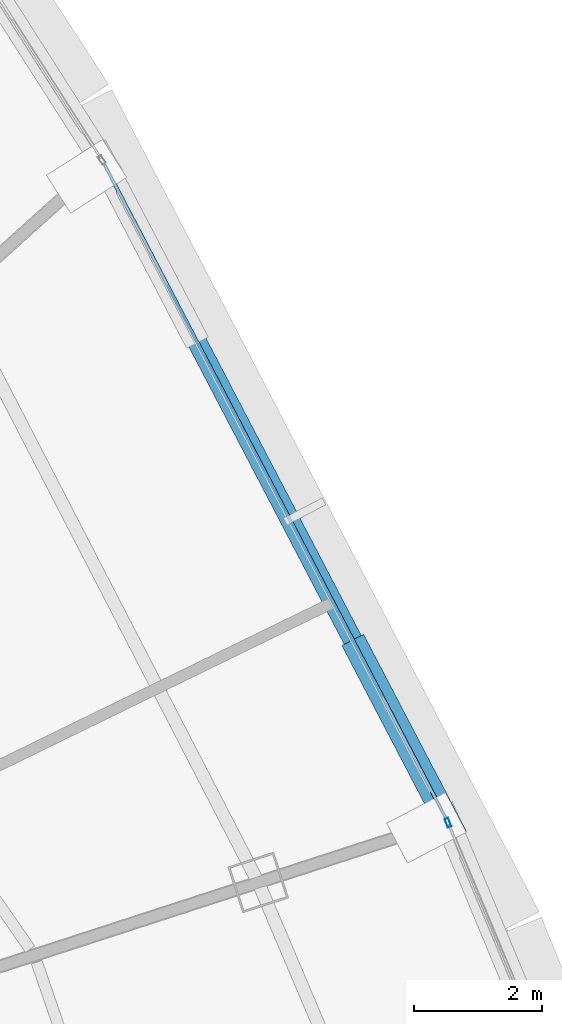
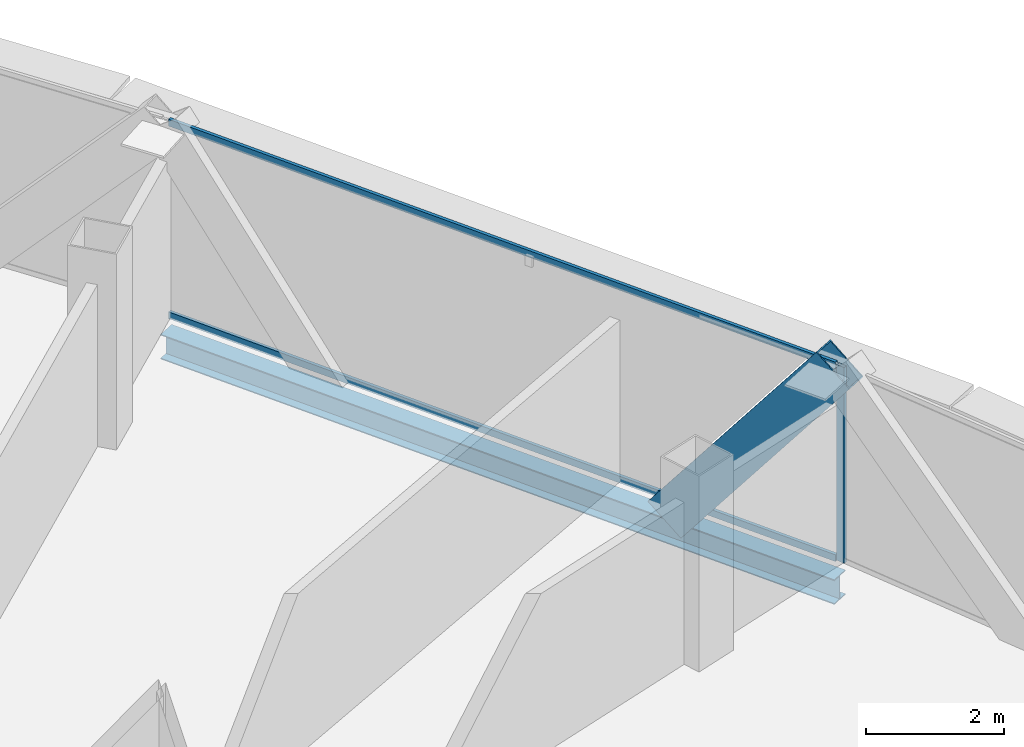
# One storey, part 17 of 39: 4 members, 1 beam, 2 elements without a shape of their own.
"""IFC4 building model written with IfcOpenShell, lengths in metres."""

import ifcopenshell
import ifcopenshell.guid

model = None  # the IFC model being written
_history = None  # IfcOwnerHistory: only IFC2X3 demands one
_inside = {}  # id of a spatial element -> (the spatial element, [elements in it])
_under = {}  # id of a project, library or spatial element -> (it, [spatial elements below it])
_declared = {}  # id of a project -> (the project, [libraries it declares])
_typed = {}  # id of a type object -> (the type object, [elements of that type])
_made_of = {}  # id of a material, layer set ... -> (it, [elements and type objects made of it])


def new_model(schema):
    """Start an empty IFC model of exactly this schema.

    Asked for "IFC4X3", IfcOpenShell would pick the latest addendum, in which some entities
    have other attributes; the version numbers below select the first issue.
    IFC2X3 requires an IfcOwnerHistory on every rooted entity: one is made here for all.
    """
    global model, _history
    if schema == "IFC4X3":
        model = ifcopenshell.file(schema_version=(4, 3, 0, 0))
    else:
        model = ifcopenshell.file(schema=schema)
    _inside.clear()
    _under.clear()
    _declared.clear()
    _typed.clear()
    _made_of.clear()
    _history = None
    if model.schema == "IFC2X3":
        org = make("IfcOrganization", Name="unknown")
        user = make(
            "IfcPersonAndOrganization",
            ThePerson=make("IfcPerson", FamilyName="unknown"),
            TheOrganization=org,
        )
        app = make(
            "IfcApplication",
            ApplicationDeveloper=org,
            Version="unknown",
            ApplicationFullName="unknown",
            ApplicationIdentifier="unknown",
        )
        _history = make(
            "IfcOwnerHistory",
            OwningUser=user,
            OwningApplication=app,
            ChangeAction="ADDED",
            CreationDate=0,
        )
    return model


def make(cls, **values):
    """One entity of the class cls with the attributes given. An attribute that is None is left unset."""
    return model.create_entity(
        cls, **{name: value for name, value in values.items() if value is not None}
    )


def rooted(cls, **values):
    """An entity with a GlobalId (a new one), such as an element, a storey or a relation."""
    return make(cls, GlobalId=ifcopenshell.guid.new(), OwnerHistory=_history, **values)


def si_unit(unit_type, name, prefix=None):
    """IfcSIUnit, for example si_unit("LENGTHUNIT", "METRE", prefix="MILLI")."""
    return make("IfcSIUnit", UnitType=unit_type, Prefix=prefix, Name=name)


def assignment(units):
    """IfcUnitAssignment: the units of a project."""
    return None if units is None else make("IfcUnitAssignment", Units=units)


def point(xyz):
    """IfcCartesianPoint."""
    return None if xyz is None else make("IfcCartesianPoint", Coordinates=xyz)


def direction(xyz):
    """IfcDirection."""
    return None if xyz is None else make("IfcDirection", DirectionRatios=xyz)


def frame(location, z_axis=None, x_axis=None):
    """IfcAxis2Placement3D, a coordinate frame: its origin and axes. An axis left out is left unset."""
    return make(
        "IfcAxis2Placement3D",
        Location=point(location),
        Axis=direction(z_axis),
        RefDirection=direction(x_axis),
    )


def frame_2d(location, x_axis=None):
    """IfcAxis2Placement2D, a coordinate frame in the plane: its origin and x axis."""
    return make(
        "IfcAxis2Placement2D", Location=point(location), RefDirection=direction(x_axis)
    )


def origin():
    """The frame at (0, 0, 0) with its axes left unset."""
    return frame((0.0, 0.0, 0.0))


def origin_2d():
    """The frame at (0, 0) in the plane with its x axis left unset."""
    return frame_2d((0.0, 0.0))


def place(relative_to, where):
    """IfcLocalPlacement: puts the frame where relative to a parent placement (None: the world)."""
    return make(
        "IfcLocalPlacement", PlacementRelTo=relative_to, RelativePlacement=where
    )


def context(
    kind, dimensions, precision=None, world=None, true_north=None, identifier=None
):
    """IfcGeometricRepresentationContext, for example the 3D "Model" context."""
    return make(
        "IfcGeometricRepresentationContext",
        ContextIdentifier=identifier,
        ContextType=kind,
        CoordinateSpaceDimension=dimensions,
        Precision=precision,
        WorldCoordinateSystem=world,
        TrueNorth=true_north,
    )


def subcontext(parent, identifier, kind, view, scale=None):
    """IfcGeometricRepresentationSubContext, for example "Body" below "Model"."""
    return make(
        "IfcGeometricRepresentationSubContext",
        ContextIdentifier=identifier,
        ContextType=kind,
        ParentContext=parent,
        TargetScale=scale,
        TargetView=view,
    )


def project(units=None, contexts=None):
    """IfcProject with its units and contexts."""
    return rooted(
        "IfcProject",
        Name="project",
        RepresentationContexts=contexts,
        UnitsInContext=assignment(units),
    )


def spatial(cls, under=None, at=None, **own):
    """A site, building, storey or space (cls), placed at a placement, below another one or the project."""
    s = rooted(cls, ObjectPlacement=at, **own)
    if under is not None:
        _under.setdefault(under.id(), (under, []))[1].append(s)
    return s


def profile(cls, at=None, kind="AREA", **sizes):
    """A parametric profile (cls). Its sizes go by their IFC names, for example OverallWidth=200.0."""
    return make(cls, ProfileType=kind, Position=at, **sizes)


def hollow_rectangle(**sizes):
    """IfcRectangleHollowProfileDef."""
    return profile("IfcRectangleHollowProfileDef", **sizes)


def i_section(**sizes):
    """IfcIShapeProfileDef."""
    return profile("IfcIShapeProfileDef", **sizes)


def extrude(swept, where, along, depth):
    """IfcExtrudedAreaSolid: the profile swept, set in the frame where, extruded along a direction by depth."""
    return make(
        "IfcExtrudedAreaSolid",
        SweptArea=swept,
        Position=where,
        ExtrudedDirection=direction(along),
        Depth=depth,
    )


def shape(context_of_items, identifier, shape_type, items):
    """IfcShapeRepresentation: the items that make up one representation, for example the "Body"."""
    return make(
        "IfcShapeRepresentation",
        ContextOfItems=context_of_items,
        RepresentationIdentifier=identifier,
        RepresentationType=shape_type,
        Items=items,
    )


def source(mapping_origin, context_of_items, identifier, shape_type, items):
    """IfcRepresentationMap: a shape defined once, which mapped items show again and again."""
    return make(
        "IfcRepresentationMap",
        MappingOrigin=mapping_origin,
        MappedRepresentation=shape(context_of_items, identifier, shape_type, items),
    )


def transform(
    local_origin,
    x_axis=None,
    y_axis=None,
    z_axis=None,
    scale=None,
    scale2=None,
    scale3=None,
    uniform=True,
):
    """IfcCartesianTransformationOperator3D, or its non-uniform kind. x_axis, y_axis, z_axis: its Axis1, 2, 3."""
    if uniform:
        return make(
            "IfcCartesianTransformationOperator3D",
            Axis1=direction(x_axis),
            Axis2=direction(y_axis),
            LocalOrigin=point(local_origin),
            Scale=scale,
            Axis3=direction(z_axis),
        )
    return make(
        "IfcCartesianTransformationOperator3DnonUniform",
        Axis1=direction(x_axis),
        Axis2=direction(y_axis),
        LocalOrigin=point(local_origin),
        Scale=scale,
        Axis3=direction(z_axis),
        Scale2=scale2,
        Scale3=scale3,
    )


def mapped(mapping_source, mapping_target):
    """IfcMappedItem: shows the shape of a source again, moved by a transform."""
    return make(
        "IfcMappedItem", MappingSource=mapping_source, MappingTarget=mapping_target
    )


def material(Name=None, Category=None):
    """IfcMaterial."""
    return make("IfcMaterial", Name=Name, Category=Category)


def layer(
    of_material, thickness, ventilated=None, Name=None, Category=None, Priority=None
):
    """IfcMaterialLayer: one layer of a wall or slab, of a material (None: an air gap)."""
    return make(
        "IfcMaterialLayer",
        Material=of_material,
        LayerThickness=thickness,
        IsVentilated=ventilated,
        Name=Name,
        Category=Category,
        Priority=Priority,
    )


def layer_set(layers, Name=None):
    """IfcMaterialLayerSet."""
    return make("IfcMaterialLayerSet", MaterialLayers=layers, LayerSetName=Name)


def material_profile(
    of_material, cross_section, Name=None, Category=None, Priority=None
):
    """IfcMaterialProfile: a cross section and its material."""
    return make(
        "IfcMaterialProfile",
        Name=Name,
        Material=of_material,
        Profile=cross_section,
        Priority=Priority,
        Category=Category,
    )


def profile_set(profiles, Name=None, composite=None):
    """IfcMaterialProfileSet."""
    return make(
        "IfcMaterialProfileSet",
        Name=Name,
        MaterialProfiles=profiles,
        CompositeProfile=composite,
    )


def made_of(thing, what):
    """Note that an element or type object is made of a material, layer set ...; save() writes the relation."""
    if what is not None:
        _made_of.setdefault(what.id(), (what, []))[1].append(thing)
    return thing


def type_object(cls, material=None, **own):
    """A type object (cls), such as IfcWallType, which elements share."""
    return made_of(rooted(cls, **own), material)


def element(
    cls,
    number,
    at=None,
    inside=None,
    cuts=None,
    type_object=None,
    material=None,
    context=None,
    identifier="Body",
    shape_type=None,
    held_by="IfcProductDefinitionShape",
    body=None,
    shapes=None,
    **own,
):
    """One element of the class cls, such as IfcWall. Its Tag is "e" and its number.

    at: its placement. inside: the storey or other place that contains it. cuts: it is an
    opening in that element (IfcRelVoidsElement). A single representation is given by context,
    identifier, shape_type and body (its items); several are given by shapes. held_by: the class
    of the entity that holds the representations. save() writes the other relations.
    """
    e = rooted(cls, Tag="e%d" % number, ObjectPlacement=at, **own)
    if body is not None:
        shapes = [shape(context, identifier, shape_type, body)]
    if shapes is not None:
        e.Representation = make(held_by, Representations=shapes)
    if inside is not None:
        _inside.setdefault(inside.id(), (inside, []))[1].append(e)
    if cuts is not None:
        rooted(
            "IfcRelVoidsElement", RelatingBuildingElement=cuts, RelatedOpeningElement=e
        )
    if type_object is not None:
        _typed.setdefault(type_object.id(), (type_object, []))[1].append(e)
    return made_of(e, material)


def aggregate(whole, parts):
    """IfcRelAggregates: a whole, such as a stair, and the parts it consists of."""
    return rooted("IfcRelAggregates", RelatingObject=whole, RelatedObjects=parts)


def save(model, path):
    """Write the relations noted so far, then the file.

    IfcRelAggregates (storeys below a building ...), IfcRelContainedInSpatialStructure (elements
    in a storey), IfcRelDefinesByType, IfcRelAssociatesMaterial and IfcRelDeclares: one each for
    every whole, place, type object, material and project.
    """
    for whole, parts in _under.values():
        aggregate(whole, parts)
    for where, things in _inside.values():
        rooted(
            "IfcRelContainedInSpatialStructure",
            RelatedElements=things,
            RelatingStructure=where,
        )
    for kind, things in _typed.values():
        rooted("IfcRelDefinesByType", RelatedObjects=things, RelatingType=kind)
    for what, things in _made_of.values():
        rooted("IfcRelAssociatesMaterial", RelatedObjects=things, RelatingMaterial=what)
    for by, libraries in _declared.values():
        rooted("IfcRelDeclares", RelatingContext=by, RelatedDefinitions=libraries)
    model.write(path)


model = new_model("IFC4")

# Units and contexts
model_context = context("Model", 3, precision=1e-05, world=origin(), true_north=direction((0.0, 1.0)))
body_context = subcontext(model_context, "Body", "Model", "MODEL_VIEW")
ifc_project = project(units=[si_unit("LENGTHUNIT", "METRE"), si_unit("AREAUNIT", "SQUARE_METRE"), si_unit("VOLUMEUNIT", "CUBIC_METRE"), si_unit("PLANEANGLEUNIT", "RADIAN"), si_unit("MASSUNIT", "GRAM", prefix="KILO"), si_unit("THERMODYNAMICTEMPERATUREUNIT", "KELVIN"), si_unit("POWERUNIT", "WATT")], contexts=[model_context])

# Site, building, storey
site_placement = place(None, origin())
site = spatial("IfcSite", under=ifc_project, at=site_placement, CompositionType="ELEMENT")
building_placement = place(site_placement, origin())
building = spatial("IfcBuilding", under=site, at=building_placement, Name="Yunzhuo Pagoda Commons", CompositionType="ELEMENT")
storey_placement = place(building_placement, frame((0.0, 0.0, 285.02001953125)))
storey = spatial("IfcBuildingStorey", under=building, at=storey_placement, Name="L71", CompositionType="ELEMENT", Elevation=285.02001953125)

# Beam
ifc_material_1 = material(Name="Structural steel Q355B", Category="steel")
ifc_material_profile_1 = material_profile(ifc_material_1, i_section(OverallWidth=0.300048828125, OverallDepth=0.43994140625, WebThickness=0.010986328125, FlangeThickness=0.01806640625, at=origin_2d()), Name="Structural steel Q355B")
ifc_profile_set_1 = profile_set([ifc_material_profile_1], Name="Structural steel Q355B")
beam_type = type_object("IfcBeamType", Name="B-SP2 Beam HM 440x300x11x18", PredefinedType="BEAM", material=ifc_profile_set_1)
shared_shape_1 = source(origin(), body_context, "Body", "SweptSolid", [
    extrude(i_section(OverallWidth=0.300048828125, OverallDepth=0.43994140625, WebThickness=0.010986328125, FlangeThickness=0.01806640625, at=origin_2d()), origin(), (0.0, 0.0, 1.0), 11.5908203125),
])
beam_placement = place(storey_placement, frame((74.248291015625, 42.228515625, -0.47998046875), z_axis=(-0.462882706125, 0.886419539705, 0.0), x_axis=(-0.886419539705, -0.462882706125, 0.0)))
element("IfcBeam", 1, at=beam_placement, inside=storey, type_object=beam_type, Name="L71 facade edge spandrel beam F2.2", PredefinedType="BEAM", context=body_context, shape_type="MappedRepresentation", body=[
    mapped(shared_shape_1, transform((0.0, 0.0, 0.0), scale=1.0)),
])

# Member
ifc_material_profile_2 = material_profile(ifc_material_1, hollow_rectangle(XDim=0.3798828125, YDim=0.719970703125, WallThickness=0.02001953125, at=origin_2d()), Name="Structural steel Q355B")
ifc_profile_set_2 = profile_set([ifc_material_profile_2], Name="Structural steel Q355B")
member_type_1 = type_object("IfcMemberType", Name="M-DL3 Brace BOX 720x380x20", PredefinedType="BRACE", material=ifc_profile_set_2)
shared_shape_2 = source(origin(), body_context, "Body", "SweptSolid", [
    extrude(hollow_rectangle(XDim=0.3798828125, YDim=0.719970703125, WallThickness=0.02001953125, at=origin_2d()), origin(), (0.0, 0.0, 1.0), 4.723388671875),
])
member_1_placement = place(storey_placement, frame((72.906982421875, 44.797119140625, -0.260009765625), z_axis=(0.283976852439, -0.543815155536, 0.78969755216), x_axis=(0.886419539705, 0.462882706125, 0.0)))
element("IfcMember", 2, at=member_1_placement, inside=storey, type_object=member_type_1, Name="L71 facade diamond brace F2.2L", PredefinedType="BRACE", context=body_context, shape_type="MappedRepresentation", body=[
    mapped(shared_shape_2, transform((0.0, 0.0, 0.0), scale=1.0)),
])

# Curtain wall, members
ifc_material_2 = material(Name="Anodized aluminium 6063-T6", Category="aluminium")
ifc_layer = layer(ifc_material_2, 0.139892578125)
ifc_layer_set = layer_set([ifc_layer], Name="Anodized aluminium 6063-T6")
curtain_wall_type = type_object("IfcCurtainWallType", Name="CW-HI High-Zone Ribbon Curtain Wall", PredefinedType="NOTDEFINED", material=ifc_layer_set)
curtain_wall_1_placement = place(storey_placement, origin())
curtain_wall_1 = element("IfcCurtainWall", 3, at=curtain_wall_1_placement, inside=storey, type_object=curtain_wall_type, Name="L71 curtain wall CW-L71-F2B3", PredefinedType="NOTDEFINED")
ifc_material_profile_3 = material_profile(ifc_material_2, hollow_rectangle(XDim=0.054931640625, YDim=0.1201171875, WallThickness=0.00341796875, at=origin_2d()), Name="Anodized aluminium 6063-T6")
ifc_profile_set_3 = profile_set([ifc_material_profile_3], Name="Anodized aluminium 6063-T6")
member_type_2 = type_object("IfcMemberType", Name="CW-HI-T Transom RHS 120x55x3.5", PredefinedType="USERDEFINED", material=ifc_profile_set_3)
shared_shape_3 = source(origin(), body_context, "Body", "SweptSolid", [
    extrude(hollow_rectangle(XDim=0.054931640625, YDim=0.1201171875, WallThickness=0.00341796875, at=origin_2d()), origin(), (0.0, 0.0, 1.0), 11.470947265625),
])
member_2_placement = place(storey_placement, frame((74.220458984375, 42.28173828125, 0.027587890625), z_axis=(-0.462910741435, 0.886404899278, 0.0), x_axis=(-0.886404899278, -0.462910741435, 0.0)))
member_2 = element("IfcMember", 4, at=member_2_placement, type_object=member_type_2, Name="CW transom 1.1", ObjectType="TRANSOM", PredefinedType="USERDEFINED", context=body_context, shape_type="MappedRepresentation", body=[
    mapped(shared_shape_3, transform((0.0, 0.0, 0.0), scale=1.0)),
])
member_3_placement = place(storey_placement, frame((74.220458984375, 42.28173828125, 3.4423828125), z_axis=(-0.462910741435, 0.886404899278, 0.0), x_axis=(-0.886404899278, -0.462910741435, 0.0)))
member_3 = element("IfcMember", 5, at=member_3_placement, type_object=member_type_2, Name="CW transom 1.2", ObjectType="TRANSOM", PredefinedType="USERDEFINED", context=body_context, shape_type="MappedRepresentation", body=[
    mapped(shared_shape_3, transform((0.0, 0.0, 0.0), scale=1.0)),
])
aggregate(curtain_wall_1, [member_2, member_3])

# Curtain wall, member
curtain_wall_2_placement = place(storey_placement, origin())
curtain_wall_2 = element("IfcCurtainWall", 6, at=curtain_wall_2_placement, inside=storey, type_object=curtain_wall_type, Name="L71 curtain wall CW-L71-F2B2", PredefinedType="NOTDEFINED")
ifc_material_profile_4 = material_profile(ifc_material_2, hollow_rectangle(XDim=0.06005859375, YDim=0.139892578125, WallThickness=0.00341796875, at=origin_2d()), Name="Anodized aluminium 6063-T6")
ifc_profile_set_4 = profile_set([ifc_material_profile_4], Name="Anodized aluminium 6063-T6")
member_type_3 = type_object("IfcMemberType", Name="CW-HI-M Mullion RHS 140x60x3.5", PredefinedType="MULLION", material=ifc_profile_set_4)
shared_shape_4 = source(origin(), body_context, "Body", "SweptSolid", [
    extrude(hollow_rectangle(XDim=0.06005859375, YDim=0.139892578125, WallThickness=0.00341796875, at=origin_2d()), origin(), (0.0, 0.0, 1.0), 3.4697265625),
])
member_4_placement = place(storey_placement, frame((74.259765625, 42.200927734375, 0.000244140625), z_axis=(0.0, 0.0, 1.0), x_axis=(-0.923393531316, -0.383854642182, 0.0)))
member_4 = element("IfcMember", 7, at=member_4_placement, type_object=member_type_3, Name="CW mullion 2", PredefinedType="MULLION", context=body_context, shape_type="MappedRepresentation", body=[
    mapped(shared_shape_4, transform((0.0, 0.0, 0.0), scale=1.0)),
])
aggregate(curtain_wall_2, [member_4])

save(model, "model.ifc")
